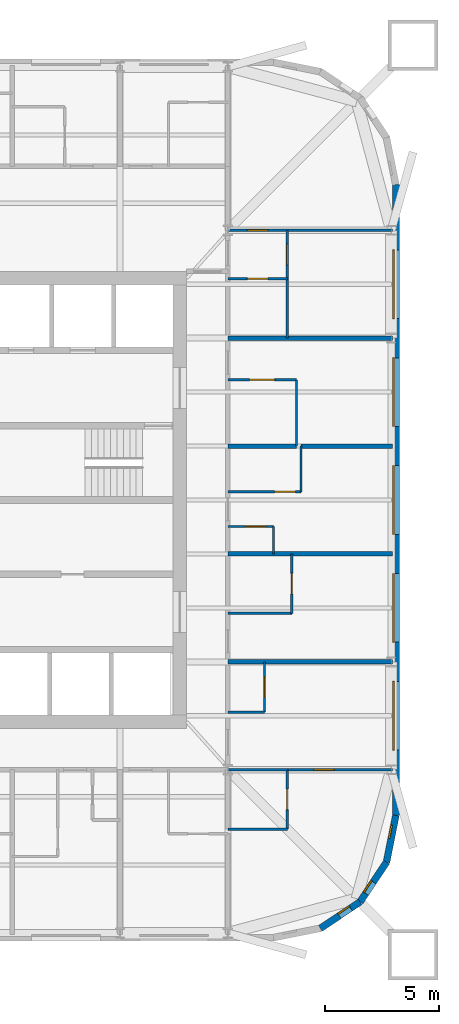
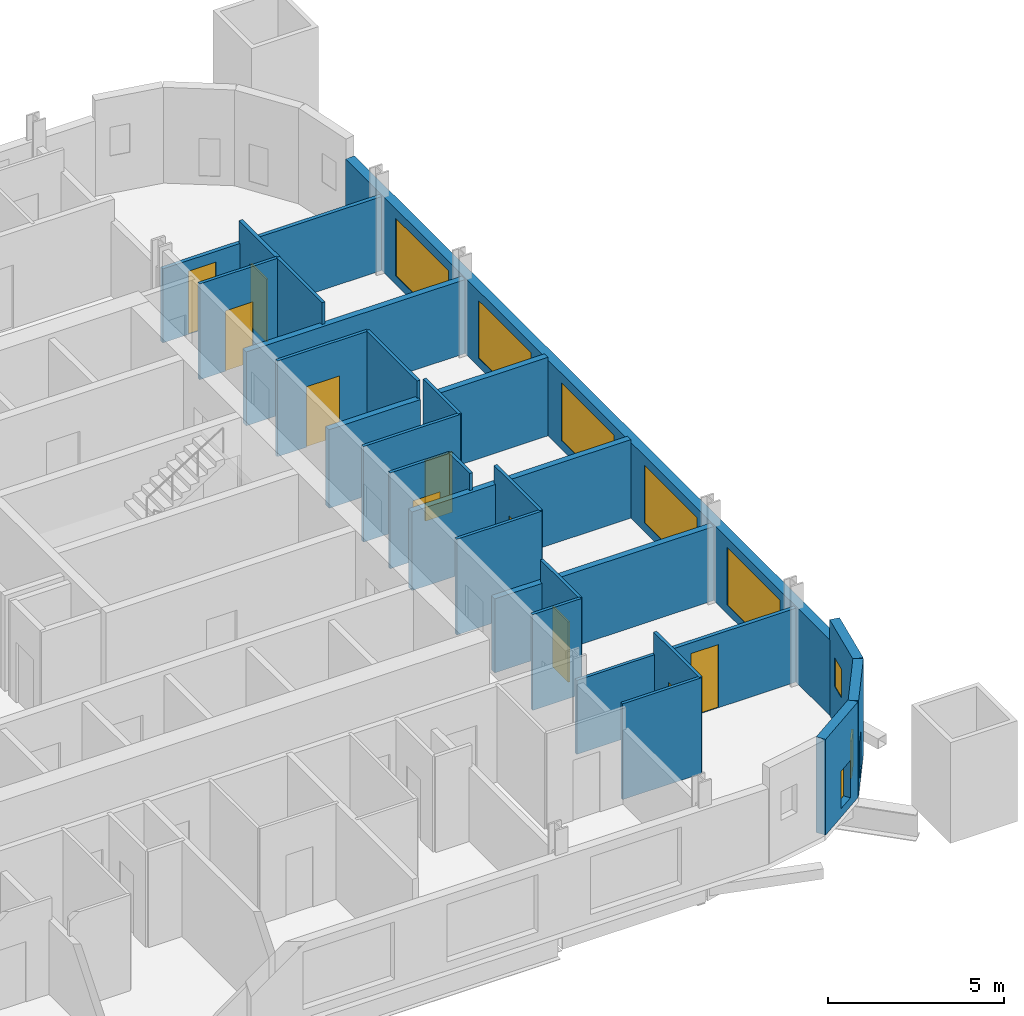
# One storey, part 6 of 9: 27 walls, 10 doors, 8 windows, 18 openings.
"""IFC4 building model written with IfcOpenShell, lengths in metres."""

import ifcopenshell
import ifcopenshell.guid

model = None  # the IFC model being written
_history = None  # IfcOwnerHistory: only IFC2X3 demands one
_inside = {}  # id of a spatial element -> (the spatial element, [elements in it])
_under = {}  # id of a project, library or spatial element -> (it, [spatial elements below it])
_declared = {}  # id of a project -> (the project, [libraries it declares])
_typed = {}  # id of a type object -> (the type object, [elements of that type])
_made_of = {}  # id of a material, layer set ... -> (it, [elements and type objects made of it])


def new_model(schema):
    """Start an empty IFC model of exactly this schema.

    Asked for "IFC4X3", IfcOpenShell would pick the latest addendum, in which some entities
    have other attributes; the version numbers below select the first issue.
    IFC2X3 requires an IfcOwnerHistory on every rooted entity: one is made here for all.
    """
    global model, _history
    if schema == "IFC4X3":
        model = ifcopenshell.file(schema_version=(4, 3, 0, 0))
    else:
        model = ifcopenshell.file(schema=schema)
    _inside.clear()
    _under.clear()
    _declared.clear()
    _typed.clear()
    _made_of.clear()
    _history = None
    if model.schema == "IFC2X3":
        org = make("IfcOrganization", Name="unknown")
        user = make(
            "IfcPersonAndOrganization",
            ThePerson=make("IfcPerson", FamilyName="unknown"),
            TheOrganization=org,
        )
        app = make(
            "IfcApplication",
            ApplicationDeveloper=org,
            Version="unknown",
            ApplicationFullName="unknown",
            ApplicationIdentifier="unknown",
        )
        _history = make(
            "IfcOwnerHistory",
            OwningUser=user,
            OwningApplication=app,
            ChangeAction="ADDED",
            CreationDate=0,
        )
    return model


def make(cls, **values):
    """One entity of the class cls with the attributes given. An attribute that is None is left unset."""
    return model.create_entity(
        cls, **{name: value for name, value in values.items() if value is not None}
    )


def rooted(cls, **values):
    """An entity with a GlobalId (a new one), such as an element, a storey or a relation."""
    return make(cls, GlobalId=ifcopenshell.guid.new(), OwnerHistory=_history, **values)


def si_unit(unit_type, name, prefix=None):
    """IfcSIUnit, for example si_unit("LENGTHUNIT", "METRE", prefix="MILLI")."""
    return make("IfcSIUnit", UnitType=unit_type, Prefix=prefix, Name=name)


def assignment(units):
    """IfcUnitAssignment: the units of a project."""
    return None if units is None else make("IfcUnitAssignment", Units=units)


def point(xyz):
    """IfcCartesianPoint."""
    return None if xyz is None else make("IfcCartesianPoint", Coordinates=xyz)


def direction(xyz):
    """IfcDirection."""
    return None if xyz is None else make("IfcDirection", DirectionRatios=xyz)


def frame(location, z_axis=None, x_axis=None):
    """IfcAxis2Placement3D, a coordinate frame: its origin and axes. An axis left out is left unset."""
    return make(
        "IfcAxis2Placement3D",
        Location=point(location),
        Axis=direction(z_axis),
        RefDirection=direction(x_axis),
    )


def frame_2d(location, x_axis=None):
    """IfcAxis2Placement2D, a coordinate frame in the plane: its origin and x axis."""
    return make(
        "IfcAxis2Placement2D", Location=point(location), RefDirection=direction(x_axis)
    )


def origin():
    """The frame at (0, 0, 0) with its axes left unset."""
    return frame((0.0, 0.0, 0.0))


def place(relative_to, where):
    """IfcLocalPlacement: puts the frame where relative to a parent placement (None: the world)."""
    return make(
        "IfcLocalPlacement", PlacementRelTo=relative_to, RelativePlacement=where
    )


def context(
    kind, dimensions, precision=None, world=None, true_north=None, identifier=None
):
    """IfcGeometricRepresentationContext, for example the 3D "Model" context."""
    return make(
        "IfcGeometricRepresentationContext",
        ContextIdentifier=identifier,
        ContextType=kind,
        CoordinateSpaceDimension=dimensions,
        Precision=precision,
        WorldCoordinateSystem=world,
        TrueNorth=true_north,
    )


def subcontext(parent, identifier, kind, view, scale=None):
    """IfcGeometricRepresentationSubContext, for example "Body" below "Model"."""
    return make(
        "IfcGeometricRepresentationSubContext",
        ContextIdentifier=identifier,
        ContextType=kind,
        ParentContext=parent,
        TargetScale=scale,
        TargetView=view,
    )


def project(units=None, contexts=None):
    """IfcProject with its units and contexts."""
    return rooted(
        "IfcProject",
        Name="project",
        RepresentationContexts=contexts,
        UnitsInContext=assignment(units),
    )


def spatial(cls, under=None, at=None, **own):
    """A site, building, storey or space (cls), placed at a placement, below another one or the project."""
    s = rooted(cls, ObjectPlacement=at, **own)
    if under is not None:
        _under.setdefault(under.id(), (under, []))[1].append(s)
    return s


def profile(cls, at=None, kind="AREA", **sizes):
    """A parametric profile (cls). Its sizes go by their IFC names, for example OverallWidth=200.0."""
    return make(cls, ProfileType=kind, Position=at, **sizes)


def rectangle(**sizes):
    """IfcRectangleProfileDef."""
    return profile("IfcRectangleProfileDef", **sizes)


def extrude(swept, where, along, depth):
    """IfcExtrudedAreaSolid: the profile swept, set in the frame where, extruded along a direction by depth."""
    return make(
        "IfcExtrudedAreaSolid",
        SweptArea=swept,
        Position=where,
        ExtrudedDirection=direction(along),
        Depth=depth,
    )


def shape(context_of_items, identifier, shape_type, items):
    """IfcShapeRepresentation: the items that make up one representation, for example the "Body"."""
    return make(
        "IfcShapeRepresentation",
        ContextOfItems=context_of_items,
        RepresentationIdentifier=identifier,
        RepresentationType=shape_type,
        Items=items,
    )


def material(Name=None, Category=None):
    """IfcMaterial."""
    return make("IfcMaterial", Name=Name, Category=Category)


def layer(
    of_material, thickness, ventilated=None, Name=None, Category=None, Priority=None
):
    """IfcMaterialLayer: one layer of a wall or slab, of a material (None: an air gap)."""
    return make(
        "IfcMaterialLayer",
        Material=of_material,
        LayerThickness=thickness,
        IsVentilated=ventilated,
        Name=Name,
        Category=Category,
        Priority=Priority,
    )


def layer_set(layers, Name=None):
    """IfcMaterialLayerSet."""
    return make("IfcMaterialLayerSet", MaterialLayers=layers, LayerSetName=Name)


def made_of(thing, what):
    """Note that an element or type object is made of a material, layer set ...; save() writes the relation."""
    if what is not None:
        _made_of.setdefault(what.id(), (what, []))[1].append(thing)
    return thing


def type_object(cls, material=None, **own):
    """A type object (cls), such as IfcWallType, which elements share."""
    return made_of(rooted(cls, **own), material)


def element(
    cls,
    number,
    at=None,
    inside=None,
    cuts=None,
    type_object=None,
    material=None,
    context=None,
    identifier="Body",
    shape_type=None,
    held_by="IfcProductDefinitionShape",
    body=None,
    shapes=None,
    **own,
):
    """One element of the class cls, such as IfcWall. Its Tag is "e" and its number.

    at: its placement. inside: the storey or other place that contains it. cuts: it is an
    opening in that element (IfcRelVoidsElement). A single representation is given by context,
    identifier, shape_type and body (its items); several are given by shapes. held_by: the class
    of the entity that holds the representations. save() writes the other relations.
    """
    e = rooted(cls, Tag="e%d" % number, ObjectPlacement=at, **own)
    if body is not None:
        shapes = [shape(context, identifier, shape_type, body)]
    if shapes is not None:
        e.Representation = make(held_by, Representations=shapes)
    if inside is not None:
        _inside.setdefault(inside.id(), (inside, []))[1].append(e)
    if cuts is not None:
        rooted(
            "IfcRelVoidsElement", RelatingBuildingElement=cuts, RelatedOpeningElement=e
        )
    if type_object is not None:
        _typed.setdefault(type_object.id(), (type_object, []))[1].append(e)
    return made_of(e, material)


def fill(opening, filler):
    """IfcRelFillsElement: the door or window that sits in an opening."""
    return rooted(
        "IfcRelFillsElement",
        RelatingOpeningElement=opening,
        RelatedBuildingElement=filler,
    )


def aggregate(whole, parts):
    """IfcRelAggregates: a whole, such as a stair, and the parts it consists of."""
    return rooted("IfcRelAggregates", RelatingObject=whole, RelatedObjects=parts)


def save(model, path):
    """Write the relations noted so far, then the file.

    IfcRelAggregates (storeys below a building ...), IfcRelContainedInSpatialStructure (elements
    in a storey), IfcRelDefinesByType, IfcRelAssociatesMaterial and IfcRelDeclares: one each for
    every whole, place, type object, material and project.
    """
    for whole, parts in _under.values():
        aggregate(whole, parts)
    for where, things in _inside.values():
        rooted(
            "IfcRelContainedInSpatialStructure",
            RelatedElements=things,
            RelatingStructure=where,
        )
    for kind, things in _typed.values():
        rooted("IfcRelDefinesByType", RelatedObjects=things, RelatingType=kind)
    for what, things in _made_of.values():
        rooted("IfcRelAssociatesMaterial", RelatedObjects=things, RelatingMaterial=what)
    for by, libraries in _declared.values():
        rooted("IfcRelDeclares", RelatingContext=by, RelatedDefinitions=libraries)
    model.write(path)


model = new_model("IFC4")

# Units and contexts
model_context = context("Model", 3, precision=1e-05, world=origin(), true_north=direction((0.0, 1.0)))
body_context = subcontext(model_context, "Body", "Model", "MODEL_VIEW")
ifc_project = project(units=[si_unit("LENGTHUNIT", "METRE"), si_unit("AREAUNIT", "SQUARE_METRE"), si_unit("VOLUMEUNIT", "CUBIC_METRE"), si_unit("PLANEANGLEUNIT", "RADIAN"), si_unit("MASSUNIT", "GRAM", prefix="KILO")], contexts=[model_context])

# Site, building, storey
site_placement = place(None, origin())
site = spatial("IfcSite", under=ifc_project, at=site_placement, CompositionType="ELEMENT")
building_placement = place(site_placement, origin())
building = spatial("IfcBuilding", under=site, at=building_placement, Name="Turquesa Mirador Hotel Tower", CompositionType="ELEMENT")
storey_placement = place(building_placement, frame((0.0, 0.0, 214.300048828125)))
storey = spatial("IfcBuildingStorey", under=building, at=storey_placement, Name="L58", CompositionType="ELEMENT", Elevation=214.300048828125)

# Wall, opening, door
ifc_material_1 = material(Name="Gypsum board on steel studs", Category="steel")
ifc_layer_1 = layer(ifc_material_1, 0.10009765625)
ifc_layer_set_1 = layer_set([ifc_layer_1], Name="BATHROOM WALL 100")
wall_type_1 = type_object("IfcWallType", Name="BATHROOM WALL 100", PredefinedType="PARTITIONING", material=ifc_layer_set_1)
wall_1_placement = place(storey_placement, frame((66.800048828125, 43.840087890625, 0.0), z_axis=(0.0, 0.0, 1.0), x_axis=(1.0, 0.0, 0.0)))
wall_1 = element("IfcWall", 1, at=wall_1_placement, inside=storey, type_object=wall_type_1, Name="Partition L58 002", PredefinedType="PARTITIONING", context=body_context, shape_type="SweptSolid", body=[
    extrude(rectangle(XDim=2.0, YDim=0.10009765625, at=frame_2d((1.0, 0.0))), origin(), (0.0, 0.0, 1.0), 3.329833984375),
])
opening_1_placement = place(wall_1_placement, frame((0.75, 0.0, 0.0)))
opening_1 = element("IfcOpeningElement", 2, at=opening_1_placement, cuts=wall_1, Name="Opening D06", PredefinedType="OPENING", context=body_context, shape_type="SweptSolid", body=[
    extrude(rectangle(XDim=0.89990234375, YDim=2.10009765625, at=frame_2d((0.449951171875, 1.050048828125))), frame((0.0, 0.06005859375, 0.0), z_axis=(0.0, -1.0, 0.0), x_axis=(1.0, 0.0, 0.0)), (0.0, 0.0, 1.0), 0.1201171875),
])
ifc_material_2 = material(Name="Laminate door", Category="wood")
door_type_1 = type_object("IfcDoorType", Name="DOOR 900X2100 WC", OperationType="SINGLE_SWING_LEFT", PredefinedType="DOOR", material=ifc_material_2)
door_1_placement = place(opening_1_placement, origin())
door_1 = element("IfcDoor", 3, at=door_1_placement, inside=storey, type_object=door_type_1, Name="Door 5812W", OperationType="SINGLE_SWING_LEFT", OverallHeight=2.10009765625, OverallWidth=0.89990234375, PredefinedType="DOOR", context=body_context, shape_type="SweptSolid", body=[
    extrude(rectangle(XDim=0.89990234375, YDim=2.10009765625, at=frame_2d((0.449951171875, 1.050048828125))), frame((0.0, 0.02490234375, 0.0), z_axis=(0.0, -1.0, 0.0), x_axis=(1.0, 0.0, 0.0)), (0.0, 0.0, 1.0), 0.050048828125),
])
fill(opening_1, door_1)

# Walls
wall_2_placement = place(storey_placement, frame((66.800048828125, 33.199951171875, 0.0), z_axis=(0.0, 0.0, 1.0), x_axis=(1.0, 0.0, 0.0)))
element("IfcWall", 4, at=wall_2_placement, inside=storey, type_object=wall_type_1, Name="Partition L58 004", PredefinedType="PARTITIONING", context=body_context, shape_type="SweptSolid", body=[
    extrude(rectangle(XDim=2.599853515625, YDim=0.10009765625, at=frame_2d((1.2998046875, 0.0))), origin(), (0.0, 0.0, 1.0), 2.572998046875),
])
wall_3_placement = place(storey_placement, frame((66.800048828125, 30.60009765625, 0.0), z_axis=(0.0, 0.0, 1.0), x_axis=(1.0, 0.0, 0.0)))
element("IfcWall", 5, at=wall_3_placement, inside=storey, type_object=wall_type_1, Name="Partition L58 011", PredefinedType="PARTITIONING", context=body_context, shape_type="SweptSolid", body=[
    extrude(rectangle(XDim=2.599853515625, YDim=0.10009765625, at=frame_2d((1.2998046875, 0.0))), origin(), (0.0, 0.0, 1.0), 3.329833984375),
])
wall_4_placement = place(storey_placement, frame((66.800048828125, 40.0400390625, 0.0), z_axis=(0.0, 0.0, 1.0), x_axis=(1.0, 0.0, 0.0)))
element("IfcWall", 6, at=wall_4_placement, inside=storey, type_object=wall_type_1, Name="Partition L58 020", PredefinedType="PARTITIONING", context=body_context, shape_type="SweptSolid", body=[
    extrude(rectangle(XDim=2.800048828125, YDim=0.10009765625, at=frame_2d((1.39990234375, 0.0))), origin(), (0.0, 0.0, 1.0), 3.329833984375),
])
wall_5_placement = place(storey_placement, frame((66.800048828125, 35.719970703125, 0.0), z_axis=(0.0, 0.0, 1.0), x_axis=(1.0, 0.0, 0.0)))
element("IfcWall", 7, at=wall_5_placement, inside=storey, type_object=wall_type_1, Name="Partition L58 025", PredefinedType="PARTITIONING", context=body_context, shape_type="SweptSolid", body=[
    extrude(rectangle(XDim=1.599853515625, YDim=0.10009765625, at=frame_2d((0.7998046875, 0.0))), origin(), (0.0, 0.0, 1.0), 3.329833984375),
])

# Wall, opening, door
wall_6_placement = place(storey_placement, frame((66.800048828125, 45.360107421875, 0.0), z_axis=(0.0, 0.0, 1.0), x_axis=(1.0, 0.0, 0.0)))
wall_6 = element("IfcWall", 8, at=wall_6_placement, inside=storey, type_object=wall_type_1, Name="Partition L58 027", PredefinedType="PARTITIONING", context=body_context, shape_type="SweptSolid", body=[
    extrude(rectangle(XDim=3.199951171875, YDim=0.10009765625, at=frame_2d((1.60009765625, 0.0))), origin(), (0.0, 0.0, 1.0), 3.329833984375),
])
opening_2_placement = place(wall_6_placement, frame((2.050048828125, 0.0, 0.0)))
opening_2 = element("IfcOpeningElement", 9, at=opening_2_placement, cuts=wall_6, Name="Opening D02", PredefinedType="OPENING", context=body_context, shape_type="SweptSolid", body=[
    extrude(rectangle(XDim=0.89990234375, YDim=2.10009765625, at=frame_2d((0.449951171875, 1.050048828125))), frame((0.0, 0.06005859375, 0.0), z_axis=(0.0, -1.0, 0.0), x_axis=(1.0, 0.0, 0.0)), (0.0, 0.0, 1.0), 0.1201171875),
])
ifc_material_3 = material(Name="Timber veneered door", Category="wood")
door_type_2 = type_object("IfcDoorType", Name="DOOR 900X2100 EN-SUITE", OperationType="SINGLE_SWING_RIGHT", PredefinedType="DOOR", material=ifc_material_3)
door_2_placement = place(opening_2_placement, origin())
door_2 = element("IfcDoor", 10, at=door_2_placement, inside=storey, type_object=door_type_2, Name="Door 5812B", OperationType="SINGLE_SWING_RIGHT", OverallHeight=2.10009765625, OverallWidth=0.89990234375, PredefinedType="DOOR", context=body_context, shape_type="SweptSolid", body=[
    extrude(rectangle(XDim=0.89990234375, YDim=2.10009765625, at=frame_2d((0.449951171875, 1.050048828125))), frame((0.0, 0.02490234375, 0.0), z_axis=(0.0, -1.0, 0.0), x_axis=(1.0, 0.0, 0.0)), (0.0, 0.0, 1.0), 0.050048828125),
])
fill(opening_2, door_2)

wall_7_placement = place(storey_placement, frame((66.800048828125, 50.260009765625, 0.0), z_axis=(0.0, 0.0, 1.0), x_axis=(1.0, 0.0, 0.0)))
wall_7 = element("IfcWall", 11, at=wall_7_placement, inside=storey, type_object=wall_type_1, Name="Partition L58 045", PredefinedType="PARTITIONING", context=body_context, shape_type="SweptSolid", body=[
    extrude(rectangle(XDim=3.0, YDim=0.10009765625, at=frame_2d((1.5, 0.0))), origin(), (0.0, 0.0, 1.0), 3.329833984375),
])
opening_3_placement = place(wall_7_placement, frame((0.949951171875, 0.0, 0.0)))
opening_3 = element("IfcOpeningElement", 12, at=opening_3_placement, cuts=wall_7, Name="Opening D16", PredefinedType="OPENING", context=body_context, shape_type="SweptSolid", body=[
    extrude(rectangle(XDim=1.10009765625, YDim=2.10009765625, at=frame_2d((0.550048828125, 1.050048828125))), frame((0.0, 0.06005859375, 0.0), z_axis=(0.0, -1.0, 0.0), x_axis=(1.0, 0.0, 0.0)), (0.0, 0.0, 1.0), 0.1201171875),
])
ifc_material_4 = material(Name="Timber veneered sliding door", Category="wood")
door_type_3 = type_object("IfcDoorType", Name="DOOR 1100X2100 ACCESSIBLE EN-SUITE", OperationType="SLIDING_TO_LEFT", PredefinedType="DOOR", material=ifc_material_4)
door_3_placement = place(opening_3_placement, origin())
door_3 = element("IfcDoor", 13, at=door_3_placement, inside=storey, type_object=door_type_3, Name="Door 5813B", OperationType="SLIDING_TO_LEFT", OverallHeight=2.10009765625, OverallWidth=1.10009765625, PredefinedType="DOOR", context=body_context, shape_type="SweptSolid", body=[
    extrude(rectangle(XDim=1.10009765625, YDim=2.10009765625, at=frame_2d((0.550048828125, 1.050048828125))), frame((0.0, 0.02490234375, 0.0), z_axis=(0.0, -1.0, 0.0), x_axis=(1.0, 0.0, 0.0)), (0.0, 0.0, 1.0), 0.050048828125),
])
fill(opening_3, door_3)

wall_8_placement = place(storey_placement, frame((66.800048828125, 54.679931640625, 0.0), z_axis=(0.0, 0.0, 1.0), x_axis=(1.0, 0.0, 0.0)))
wall_8 = element("IfcWall", 14, at=wall_8_placement, inside=storey, type_object=wall_type_1, Name="Partition L58 052", PredefinedType="PARTITIONING", context=body_context, shape_type="SweptSolid", body=[
    extrude(rectangle(XDim=2.599853515625, YDim=0.10009765625, at=frame_2d((1.2998046875, 0.0))), origin(), (0.0, 0.0, 1.0), 3.329833984375),
])
opening_4_placement = place(wall_8_placement, frame((0.85009765625, 0.0, 0.0)))
opening_4 = element("IfcOpeningElement", 15, at=opening_4_placement, cuts=wall_8, Name="Opening D02", PredefinedType="OPENING", context=body_context, shape_type="SweptSolid", body=[
    extrude(rectangle(XDim=0.89990234375, YDim=2.10009765625, at=frame_2d((0.449951171875, 1.050048828125))), frame((0.0, 0.06005859375, 0.0), z_axis=(0.0, -1.0, 0.0), x_axis=(1.0, 0.0, 0.0)), (0.0, 0.0, 1.0), 0.1201171875),
])
door_4_placement = place(opening_4_placement, origin())
door_4 = element("IfcDoor", 16, at=door_4_placement, inside=storey, type_object=door_type_2, Name="Door 5817B", OperationType="SINGLE_SWING_RIGHT", OverallHeight=2.10009765625, OverallWidth=0.89990234375, PredefinedType="DOOR", context=body_context, shape_type="SweptSolid", body=[
    extrude(rectangle(XDim=0.89990234375, YDim=2.10009765625, at=frame_2d((0.449951171875, 1.050048828125))), frame((0.0, 0.02490234375, 0.0), z_axis=(0.0, -1.0, 0.0), x_axis=(1.0, 0.0, 0.0)), (0.0, 0.0, 1.0), 0.050048828125),
])
fill(opening_4, door_4)

wall_9_placement = place(storey_placement, frame((68.39990234375, 35.719970703125, 0.0), z_axis=(0.0, 0.0, 1.0), x_axis=(0.0, 1.0, 0.0)))
wall_9 = element("IfcWall", 17, at=wall_9_placement, inside=storey, type_object=wall_type_1, Name="Partition L58 085", PredefinedType="PARTITIONING", context=body_context, shape_type="SweptSolid", body=[
    extrude(rectangle(XDim=2.199951171875, YDim=0.10009765625, at=frame_2d((1.10009765625, 0.0))), origin(), (0.0, 0.0, 1.0), 3.329833984375),
])
opening_5_placement = place(wall_9_placement, frame((0.64990234375, 0.0, 0.0)))
opening_5 = element("IfcOpeningElement", 18, at=opening_5_placement, cuts=wall_9, Name="Opening D06", PredefinedType="OPENING", context=body_context, shape_type="SweptSolid", body=[
    extrude(rectangle(XDim=0.89990234375, YDim=2.10009765625, at=frame_2d((0.449951171875, 1.050048828125))), frame((0.0, 0.06005859375, 0.0), z_axis=(0.0, -1.0, 0.0), x_axis=(1.0, 0.0, 0.0)), (0.0, 0.0, 1.0), 0.1201171875),
])
door_5_placement = place(opening_5_placement, origin())
door_5 = element("IfcDoor", 19, at=door_5_placement, inside=storey, type_object=door_type_1, Name="Door 5820W", OperationType="SINGLE_SWING_LEFT", OverallHeight=2.10009765625, OverallWidth=0.89990234375, PredefinedType="DOOR", context=body_context, shape_type="SweptSolid", body=[
    extrude(rectangle(XDim=0.89990234375, YDim=2.10009765625, at=frame_2d((0.449951171875, 1.050048828125))), frame((0.0, 0.02490234375, 0.0), z_axis=(0.0, -1.0, 0.0), x_axis=(1.0, 0.0, 0.0)), (0.0, 0.0, 1.0), 0.050048828125),
])
fill(opening_5, door_5)

# Wall
wall_10_placement = place(storey_placement, frame((68.800048828125, 42.639892578125, 0.0), z_axis=(0.0, 0.0, 1.0), x_axis=(0.0, 1.0, 0.0)))
element("IfcWall", 20, at=wall_10_placement, inside=storey, type_object=wall_type_1, Name="Partition L58 086", PredefinedType="PARTITIONING", context=body_context, shape_type="SweptSolid", body=[
    extrude(rectangle(XDim=1.2001953125, YDim=0.10009765625, at=frame_2d((0.60009765625, 0.0))), origin(), (0.0, 0.0, 1.0), 3.329833984375),
])

# Wall, opening, door
wall_11_placement = place(storey_placement, frame((69.39990234375, 30.60009765625, 0.0), z_axis=(0.0, 0.0, 1.0), x_axis=(0.0, 1.0, 0.0)))
wall_11 = element("IfcWall", 21, at=wall_11_placement, inside=storey, type_object=wall_type_1, Name="Partition L58 087", PredefinedType="PARTITIONING", context=body_context, shape_type="SweptSolid", body=[
    extrude(rectangle(XDim=2.599853515625, YDim=0.10009765625, at=frame_2d((1.2998046875, 0.0))), origin(), (0.0, 0.0, 1.0), 3.329833984375),
])
opening_6_placement = place(wall_11_placement, frame((0.85009765625, 0.0, 0.0)))
opening_6 = element("IfcOpeningElement", 22, at=opening_6_placement, cuts=wall_11, Name="Opening D02", PredefinedType="OPENING", context=body_context, shape_type="SweptSolid", body=[
    extrude(rectangle(XDim=0.89990234375, YDim=2.10009765625, at=frame_2d((0.449951171875, 1.050048828125))), frame((0.0, 0.06005859375, 0.0), z_axis=(0.0, -1.0, 0.0), x_axis=(1.0, 0.0, 0.0)), (0.0, 0.0, 1.0), 0.1201171875),
])
door_6_placement = place(opening_6_placement, origin())
door_6 = element("IfcDoor", 23, at=door_6_placement, inside=storey, type_object=door_type_2, Name="Door 5820B", OperationType="SINGLE_SWING_RIGHT", OverallHeight=2.10009765625, OverallWidth=0.89990234375, PredefinedType="DOOR", context=body_context, shape_type="SweptSolid", body=[
    extrude(rectangle(XDim=0.89990234375, YDim=2.10009765625, at=frame_2d((0.449951171875, 1.050048828125))), frame((0.0, 0.02490234375, 0.0), z_axis=(0.0, -1.0, 0.0), x_axis=(1.0, 0.0, 0.0)), (0.0, 0.0, 1.0), 0.050048828125),
])
fill(opening_6, door_6)

# Wall
wall_12_placement = place(storey_placement, frame((69.39990234375, 52.080078125, 0.0), z_axis=(0.0, 0.0, 1.0), x_axis=(0.0, 1.0, 0.0)))
element("IfcWall", 24, at=wall_12_placement, inside=storey, type_object=wall_type_1, Name="Partition L58 088", PredefinedType="PARTITIONING", context=body_context, shape_type="SweptSolid", body=[
    extrude(rectangle(XDim=2.599853515625, YDim=0.10009765625, at=frame_2d((1.2998046875, 0.0))), origin(), (0.0, 0.0, 1.0), 3.329833984375),
])

# Wall, opening, door
wall_13_placement = place(storey_placement, frame((69.60009765625, 40.0400390625, 0.0), z_axis=(0.0, 0.0, 1.0), x_axis=(0.0, 1.0, 0.0)))
wall_13 = element("IfcWall", 25, at=wall_13_placement, inside=storey, type_object=wall_type_1, Name="Partition L58 090", PredefinedType="PARTITIONING", context=body_context, shape_type="SweptSolid", body=[
    extrude(rectangle(XDim=2.599853515625, YDim=0.10009765625, at=frame_2d((1.2998046875, 0.0))), origin(), (0.0, 0.0, 1.0), 3.329833984375),
])
opening_7_placement = place(wall_13_placement, frame((0.85009765625, 0.0, 0.0)))
opening_7 = element("IfcOpeningElement", 26, at=opening_7_placement, cuts=wall_13, Name="Opening D02", PredefinedType="OPENING", context=body_context, shape_type="SweptSolid", body=[
    extrude(rectangle(XDim=0.89990234375, YDim=2.10009765625, at=frame_2d((0.449951171875, 1.050048828125))), frame((0.0, 0.06005859375, 0.0), z_axis=(0.0, -1.0, 0.0), x_axis=(1.0, 0.0, 0.0)), (0.0, 0.0, 1.0), 0.1201171875),
])
door_7_placement = place(opening_7_placement, origin())
door_7 = element("IfcDoor", 27, at=door_7_placement, inside=storey, type_object=door_type_2, Name="Door 5811B", OperationType="SINGLE_SWING_RIGHT", OverallHeight=2.10009765625, OverallWidth=0.89990234375, PredefinedType="DOOR", context=body_context, shape_type="SweptSolid", body=[
    extrude(rectangle(XDim=0.89990234375, YDim=2.10009765625, at=frame_2d((0.449951171875, 1.050048828125))), frame((0.0, 0.02490234375, 0.0), z_axis=(0.0, -1.0, 0.0), x_axis=(1.0, 0.0, 0.0)), (0.0, 0.0, 1.0), 0.050048828125),
])
fill(opening_7, door_7)

# Walls
wall_14_placement = place(storey_placement, frame((69.800048828125, 47.360107421875, 0.0), z_axis=(0.0, 0.0, 1.0), x_axis=(0.0, 1.0, 0.0)))
element("IfcWall", 28, at=wall_14_placement, inside=storey, type_object=wall_type_1, Name="Partition L58 091", PredefinedType="PARTITIONING", context=body_context, shape_type="SweptSolid", body=[
    extrude(rectangle(XDim=2.89990234375, YDim=0.10009765625, at=frame_2d((1.449951171875, 0.0))), origin(), (0.0, 0.0, 1.0), 3.329833984375),
])
wall_15_placement = place(storey_placement, frame((70.0, 45.360107421875, 0.0), z_axis=(0.0, 0.0, 1.0), x_axis=(0.0, 1.0, 0.0)))
element("IfcWall", 29, at=wall_15_placement, inside=storey, type_object=wall_type_1, Name="Partition L58 092", PredefinedType="PARTITIONING", context=body_context, shape_type="SweptSolid", body=[
    extrude(rectangle(XDim=2.0, YDim=0.10009765625, at=frame_2d((1.0, 0.0))), origin(), (0.0, 0.0, 1.0), 3.329833984375),
])

# Wall, opening, window
ifc_material_5 = material(Name="Limestone cladding on concrete block", Category="masonry")
ifc_layer_2 = layer(ifc_material_5, 0.300048828125)
ifc_layer_set_2 = layer_set([ifc_layer_2], Name="FACADE WALL 300 STONE SCREEN")
wall_type_2 = type_object("IfcWallType", Name="FACADE WALL 300 STONE SCREEN", PredefinedType="SOLIDWALL", material=ifc_layer_set_2)
wall_16_placement = place(storey_placement, frame((70.847412109375, 26.25732421875, 0.0), z_axis=(0.0, 0.0, 1.0), x_axis=(0.831474039234, 0.555563607591, 0.0)))
wall_16 = element("IfcWall", 30, at=wall_16_placement, inside=storey, type_object=wall_type_2, Name="Facade wall L58 01", PredefinedType="SOLIDWALL", context=body_context, shape_type="SweptSolid", body=[
    extrude(rectangle(XDim=2.08740234375, YDim=0.300048828125, at=frame_2d((1.043701171875, 0.0))), origin(), (0.0, 0.0, 1.0), 3.329833984375),
])
opening_8_placement = place(wall_16_placement, frame((0.99365234375, 0.0, 0.300048828125)))
opening_8 = element("IfcOpeningElement", 31, at=opening_8_placement, cuts=wall_16, Name="Opening WN14", PredefinedType="OPENING", context=body_context, shape_type="SweptSolid", body=[
    extrude(rectangle(XDim=0.60009765625, YDim=1.300048828125, at=frame_2d((0.300048828125, 0.64990234375))), frame((0.0, 0.159912109375, 0.0), z_axis=(0.0, -1.0, 0.0), x_axis=(1.0, 0.0, 0.0)), (0.0, 0.0, 1.0), 0.320068359375),
])
ifc_material_6 = material(Name="Ceramic-fritted laminated glass", Category="glass")
window_type_1 = type_object("IfcWindowType", Name="FRITTED CORNER WINDOW 600X1300", PartitioningType="DOUBLE_PANEL_HORIZONTAL", PredefinedType="WINDOW", material=ifc_material_6)
window_1_placement = place(opening_8_placement, origin())
window_1 = element("IfcWindow", 32, at=window_1_placement, inside=storey, type_object=window_type_1, Name="Window L58", OverallHeight=1.300048828125, OverallWidth=0.60009765625, PartitioningType="SINGLE_PANEL", PredefinedType="WINDOW", context=body_context, shape_type="SweptSolid", body=[
    extrude(rectangle(XDim=0.60009765625, YDim=1.300048828125, at=frame_2d((0.300048828125, 0.64990234375))), frame((0.0, 0.130126953125, 0.0), z_axis=(0.0, -1.0, 0.0), x_axis=(1.0, 0.0, 0.0)), (0.0, 0.0, 1.0), 0.06005859375),
])
fill(opening_8, window_1)

wall_17_placement = place(storey_placement, frame((72.5830078125, 27.4169921875, 0.0), z_axis=(0.0, 0.0, 1.0), x_axis=(0.555563607591, 0.831474039234, 0.0)))
wall_17 = element("IfcWall", 33, at=wall_17_placement, inside=storey, type_object=wall_type_2, Name="Facade wall L58 02", PredefinedType="SOLIDWALL", context=body_context, shape_type="SweptSolid", body=[
    extrude(rectangle(XDim=2.08740234375, YDim=0.300048828125, at=frame_2d((1.043701171875, 0.0))), origin(), (0.0, 0.0, 1.0), 3.329833984375),
])
opening_9_placement = place(wall_17_placement, frame((0.443603515625, 0.0, 0.300048828125)))
opening_9 = element("IfcOpeningElement", 34, at=opening_9_placement, cuts=wall_17, Name="Opening WN14", PredefinedType="OPENING", context=body_context, shape_type="SweptSolid", body=[
    extrude(rectangle(XDim=0.60009765625, YDim=1.300048828125, at=frame_2d((0.300048828125, 0.64990234375))), frame((0.0, 0.159912109375, 0.0), z_axis=(0.0, -1.0, 0.0), x_axis=(1.0, 0.0, 0.0)), (0.0, 0.0, 1.0), 0.320068359375),
])
window_2_placement = place(opening_9_placement, origin())
window_2 = element("IfcWindow", 35, at=window_2_placement, inside=storey, type_object=window_type_1, Name="Window L58", OverallHeight=1.300048828125, OverallWidth=0.60009765625, PartitioningType="SINGLE_PANEL", PredefinedType="WINDOW", context=body_context, shape_type="SweptSolid", body=[
    extrude(rectangle(XDim=0.60009765625, YDim=1.300048828125, at=frame_2d((0.300048828125, 0.64990234375))), frame((0.0, 0.130126953125, 0.0), z_axis=(0.0, -1.0, 0.0), x_axis=(1.0, 0.0, 0.0)), (0.0, 0.0, 1.0), 0.06005859375),
])
fill(opening_9, window_2)

wall_18_placement = place(storey_placement, frame((73.74267578125, 29.152587890625, 0.0), z_axis=(0.0, 0.0, 1.0), x_axis=(0.195081421501, 0.980787050784, 0.0)))
wall_18 = element("IfcWall", 36, at=wall_18_placement, inside=storey, type_object=wall_type_2, Name="Facade wall L58 03", PredefinedType="SOLIDWALL", context=body_context, shape_type="SweptSolid", body=[
    extrude(rectangle(XDim=2.08740234375, YDim=0.300048828125, at=frame_2d((1.043701171875, 0.0))), origin(), (0.0, 0.0, 1.0), 3.329833984375),
])
opening_10_placement = place(wall_18_placement, frame((1.043701171875, 0.0, 1.300048828125)))
opening_10 = element("IfcOpeningElement", 37, at=opening_10_placement, cuts=wall_18, Name="Opening WN11", PredefinedType="OPENING", context=body_context, shape_type="SweptSolid", body=[
    extrude(rectangle(XDim=0.60009765625, YDim=1.0, at=frame_2d((0.300048828125, 0.5))), frame((0.0, 0.159912109375, 0.0), z_axis=(0.0, -1.0, 0.0), x_axis=(1.0, 0.0, 0.0)), (0.0, 0.0, 1.0), 0.320068359375),
])
ifc_material_7 = material(Name="Ceramic-fritted laminated glass", Category="glass")
window_type_2 = type_object("IfcWindowType", Name="FRITTED CORNER WINDOW 600X1000", PartitioningType="DOUBLE_PANEL_HORIZONTAL", PredefinedType="WINDOW", material=ifc_material_7)
window_3_placement = place(opening_10_placement, origin())
window_3 = element("IfcWindow", 38, at=window_3_placement, inside=storey, type_object=window_type_2, Name="Window L58", OverallHeight=1.0, OverallWidth=0.60009765625, PartitioningType="SINGLE_PANEL", PredefinedType="WINDOW", context=body_context, shape_type="SweptSolid", body=[
    extrude(rectangle(XDim=0.60009765625, YDim=1.0, at=frame_2d((0.300048828125, 0.5))), frame((0.0, 0.130126953125, 0.0), z_axis=(0.0, -1.0, 0.0), x_axis=(1.0, 0.0, 0.0)), (0.0, 0.0, 1.0), 0.06005859375),
])
fill(opening_10, window_3)

# Wall, openings, windows
wall_19_placement = place(storey_placement, frame((74.14990234375, 31.199951171875, 0.0), z_axis=(0.0, 0.0, 1.0), x_axis=(0.0, 1.0, 0.0)))
wall_19 = element("IfcWall", 39, at=wall_19_placement, inside=storey, type_object=wall_type_2, Name="Facade wall L58 04", PredefinedType="SOLIDWALL", context=body_context, shape_type="SweptSolid", body=[
    extrude(rectangle(XDim=27.60009765625, YDim=0.300048828125, at=frame_2d((13.800048828125, 0.0))), origin(), (0.0, 0.0, 1.0), 2.6298828125),
])
opening_11_placement = place(wall_19_placement, frame((2.860107421875, 0.0, 0.300048828125)))
opening_11 = element("IfcOpeningElement", 40, at=opening_11_placement, cuts=wall_19, Name="Opening WN1", PredefinedType="OPENING", context=body_context, shape_type="SweptSolid", body=[
    extrude(rectangle(XDim=3.0, YDim=2.0, at=frame_2d((1.5, 1.0))), frame((0.0, 0.159912109375, 0.0), z_axis=(0.0, -1.0, 0.0), x_axis=(1.0, 0.0, 0.0)), (0.0, 0.0, 1.0), 0.320068359375),
])
opening_12_placement = place(wall_19_placement, frame((7.580078125, 0.0, 0.300048828125)))
opening_12 = element("IfcOpeningElement", 41, at=opening_12_placement, cuts=wall_19, Name="Opening WN1", PredefinedType="OPENING", context=body_context, shape_type="SweptSolid", body=[
    extrude(rectangle(XDim=3.0, YDim=2.0, at=frame_2d((1.5, 1.0))), frame((0.0, 0.159912109375, 0.0), z_axis=(0.0, -1.0, 0.0), x_axis=(1.0, 0.0, 0.0)), (0.0, 0.0, 1.0), 0.320068359375),
])
opening_13_placement = place(wall_19_placement, frame((12.300048828125, 0.0, 0.300048828125)))
opening_13 = element("IfcOpeningElement", 42, at=opening_13_placement, cuts=wall_19, Name="Opening WN1", PredefinedType="OPENING", context=body_context, shape_type="SweptSolid", body=[
    extrude(rectangle(XDim=3.0, YDim=2.0, at=frame_2d((1.5, 1.0))), frame((0.0, 0.159912109375, 0.0), z_axis=(0.0, -1.0, 0.0), x_axis=(1.0, 0.0, 0.0)), (0.0, 0.0, 1.0), 0.320068359375),
])
opening_14_placement = place(wall_19_placement, frame((17.02001953125, 0.0, 0.300048828125)))
opening_14 = element("IfcOpeningElement", 43, at=opening_14_placement, cuts=wall_19, Name="Opening WN1", PredefinedType="OPENING", context=body_context, shape_type="SweptSolid", body=[
    extrude(rectangle(XDim=3.0, YDim=2.0, at=frame_2d((1.5, 1.0))), frame((0.0, 0.159912109375, 0.0), z_axis=(0.0, -1.0, 0.0), x_axis=(1.0, 0.0, 0.0)), (0.0, 0.0, 1.0), 0.320068359375),
])
opening_15_placement = place(wall_19_placement, frame((21.739990234375, 0.0, 0.300048828125)))
opening_15 = element("IfcOpeningElement", 44, at=opening_15_placement, cuts=wall_19, Name="Opening WN1", PredefinedType="OPENING", context=body_context, shape_type="SweptSolid", body=[
    extrude(rectangle(XDim=3.0, YDim=2.0, at=frame_2d((1.5, 1.0))), frame((0.0, 0.159912109375, 0.0), z_axis=(0.0, -1.0, 0.0), x_axis=(1.0, 0.0, 0.0)), (0.0, 0.0, 1.0), 0.320068359375),
])
ifc_material_8 = material(Name="Ceramic-fritted laminated glass", Category="glass")
window_type_3 = type_object("IfcWindowType", Name="FRITTED WINDOW 3000X2000", PartitioningType="DOUBLE_PANEL_HORIZONTAL", PredefinedType="WINDOW", material=ifc_material_8)
window_4_placement = place(opening_11_placement, origin())
window_4 = element("IfcWindow", 45, at=window_4_placement, inside=storey, type_object=window_type_3, Name="Window L58", OverallHeight=2.0, OverallWidth=3.0, PartitioningType="SINGLE_PANEL", PredefinedType="WINDOW", context=body_context, shape_type="SweptSolid", body=[
    extrude(rectangle(XDim=3.0, YDim=2.0, at=frame_2d((1.5, 1.0))), frame((0.0, 0.130126953125, 0.0), z_axis=(0.0, -1.0, 0.0), x_axis=(1.0, 0.0, 0.0)), (0.0, 0.0, 1.0), 0.06005859375),
])
fill(opening_11, window_4)
window_5_placement = place(opening_12_placement, origin())
window_5 = element("IfcWindow", 46, at=window_5_placement, inside=storey, type_object=window_type_3, Name="Window L58", OverallHeight=2.0, OverallWidth=3.0, PartitioningType="SINGLE_PANEL", PredefinedType="WINDOW", context=body_context, shape_type="SweptSolid", body=[
    extrude(rectangle(XDim=3.0, YDim=2.0, at=frame_2d((1.5, 1.0))), frame((0.0, 0.130126953125, 0.0), z_axis=(0.0, -1.0, 0.0), x_axis=(1.0, 0.0, 0.0)), (0.0, 0.0, 1.0), 0.06005859375),
])
fill(opening_12, window_5)
window_6_placement = place(opening_13_placement, origin())
window_6 = element("IfcWindow", 47, at=window_6_placement, inside=storey, type_object=window_type_3, Name="Window L58", OverallHeight=2.0, OverallWidth=3.0, PartitioningType="SINGLE_PANEL", PredefinedType="WINDOW", context=body_context, shape_type="SweptSolid", body=[
    extrude(rectangle(XDim=3.0, YDim=2.0, at=frame_2d((1.5, 1.0))), frame((0.0, 0.130126953125, 0.0), z_axis=(0.0, -1.0, 0.0), x_axis=(1.0, 0.0, 0.0)), (0.0, 0.0, 1.0), 0.06005859375),
])
fill(opening_13, window_6)
window_7_placement = place(opening_14_placement, origin())
window_7 = element("IfcWindow", 48, at=window_7_placement, inside=storey, type_object=window_type_3, Name="Window L58", OverallHeight=2.0, OverallWidth=3.0, PartitioningType="SINGLE_PANEL", PredefinedType="WINDOW", context=body_context, shape_type="SweptSolid", body=[
    extrude(rectangle(XDim=3.0, YDim=2.0, at=frame_2d((1.5, 1.0))), frame((0.0, 0.130126953125, 0.0), z_axis=(0.0, -1.0, 0.0), x_axis=(1.0, 0.0, 0.0)), (0.0, 0.0, 1.0), 0.06005859375),
])
fill(opening_14, window_7)
window_8_placement = place(opening_15_placement, origin())
window_8 = element("IfcWindow", 49, at=window_8_placement, inside=storey, type_object=window_type_3, Name="Window L58", OverallHeight=2.0, OverallWidth=3.0, PartitioningType="SINGLE_PANEL", PredefinedType="WINDOW", context=body_context, shape_type="SweptSolid", body=[
    extrude(rectangle(XDim=3.0, YDim=2.0, at=frame_2d((1.5, 1.0))), frame((0.0, 0.130126953125, 0.0), z_axis=(0.0, -1.0, 0.0), x_axis=(1.0, 0.0, 0.0)), (0.0, 0.0, 1.0), 0.06005859375),
])
fill(opening_15, window_8)

# Walls
ifc_material_9 = material(Name="Fire-rated gypsum board on steel studs", Category="steel")
ifc_layer_3 = layer(ifc_material_9, 0.199951171875)
ifc_layer_set_3 = layer_set([ifc_layer_3], Name="PARTY WALL 200")
wall_type_3 = type_object("IfcWallType", Name="PARTY WALL 200", PredefinedType="PARTITIONING", material=ifc_layer_set_3)
wall_20_placement = place(storey_placement, frame((66.800048828125, 42.639892578125, 0.0), z_axis=(0.0, 0.0, 1.0), x_axis=(1.0, 0.0, 0.0)))
element("IfcWall", 50, at=wall_20_placement, inside=storey, type_object=wall_type_3, Name="Partition L58 018", PredefinedType="PARTITIONING", context=body_context, shape_type="SweptSolid", body=[
    extrude(rectangle(XDim=7.199951171875, YDim=0.199951171875, at=frame_2d((3.60009765625, 0.0))), origin(), (0.0, 0.0, 1.0), 2.73046875),
])
wall_21_placement = place(storey_placement, frame((66.800048828125, 37.919921875, 0.0), z_axis=(0.0, 0.0, 1.0), x_axis=(1.0, 0.0, 0.0)))
element("IfcWall", 51, at=wall_21_placement, inside=storey, type_object=wall_type_3, Name="Partition L58 023", PredefinedType="PARTITIONING", context=body_context, shape_type="SweptSolid", body=[
    extrude(rectangle(XDim=7.199951171875, YDim=0.199951171875, at=frame_2d((3.60009765625, 0.0))), origin(), (0.0, 0.0, 1.0), 2.572998046875),
])
wall_22_placement = place(storey_placement, frame((66.800048828125, 47.360107421875, 0.0), z_axis=(0.0, 0.0, 1.0), x_axis=(1.0, 0.0, 0.0)))
element("IfcWall", 52, at=wall_22_placement, inside=storey, type_object=wall_type_3, Name="Partition L58 042", PredefinedType="PARTITIONING", context=body_context, shape_type="SweptSolid", body=[
    extrude(rectangle(XDim=3.0, YDim=0.199951171875, at=frame_2d((1.5, 0.0))), origin(), (0.0, 0.0, 1.0), 2.73046875),
])
wall_23_placement = place(storey_placement, frame((70.0, 47.360107421875, 0.0), z_axis=(0.0, 0.0, 1.0), x_axis=(1.0, 0.0, 0.0)))
element("IfcWall", 53, at=wall_23_placement, inside=storey, type_object=wall_type_3, Name="Partition L58 043", PredefinedType="PARTITIONING", context=body_context, shape_type="SweptSolid", body=[
    extrude(rectangle(XDim=4.0, YDim=0.199951171875, at=frame_2d((2.0, 0.0))), origin(), (0.0, 0.0, 1.0), 2.73046875),
])
wall_24_placement = place(storey_placement, frame((66.800048828125, 52.080078125, 0.0), z_axis=(0.0, 0.0, 1.0), x_axis=(1.0, 0.0, 0.0)))
element("IfcWall", 54, at=wall_24_placement, inside=storey, type_object=wall_type_3, Name="Partition L58 050", PredefinedType="PARTITIONING", context=body_context, shape_type="SweptSolid", body=[
    extrude(rectangle(XDim=7.199951171875, YDim=0.199951171875, at=frame_2d((3.60009765625, 0.0))), origin(), (0.0, 0.0, 1.0), 2.572998046875),
])

# Wall, opening, door
ifc_material_10 = material(Name="Acoustic gypsum board on steel studs", Category="steel")
ifc_layer_4 = layer(ifc_material_10, 0.125)
ifc_layer_set_4 = layer_set([ifc_layer_4], Name="SUITE PARTITION 125")
wall_type_4 = type_object("IfcWallType", Name="SUITE PARTITION 125", PredefinedType="PARTITIONING", material=ifc_layer_set_4)
wall_25_placement = place(storey_placement, frame((69.39990234375, 33.199951171875, 0.0), z_axis=(0.0, 0.0, 1.0), x_axis=(1.0, 0.0, 0.0)))
wall_25 = element("IfcWall", 55, at=wall_25_placement, inside=storey, type_object=wall_type_4, Name="Partition L58 007", PredefinedType="PARTITIONING", context=body_context, shape_type="SweptSolid", body=[
    extrude(rectangle(XDim=4.60009765625, YDim=0.125, at=frame_2d((2.300048828125, 0.0))), origin(), (0.0, 0.0, 1.0), 2.572998046875),
])
opening_16_placement = place(wall_25_placement, frame((1.14990234375, 0.0, 0.0)))
opening_16 = element("IfcOpeningElement", 56, at=opening_16_placement, cuts=wall_25, Name="Opening D17", PredefinedType="OPENING", context=body_context, shape_type="SweptSolid", body=[
    extrude(rectangle(XDim=0.89990234375, YDim=2.199951171875, at=frame_2d((0.449951171875, 1.10009765625))), frame((0.0, 0.072509765625, 0.0), z_axis=(0.0, -1.0, 0.0), x_axis=(1.0, 0.0, 0.0)), (0.0, 0.0, 1.0), 0.14501953125),
])
ifc_material_11 = material(Name="Timber veneered door", Category="wood")
door_type_4 = type_object("IfcDoorType", Name="DOOR 900X2200 SUITE INTERNAL", OperationType="SINGLE_SWING_LEFT", PredefinedType="DOOR", material=ifc_material_11)
door_8_placement = place(opening_16_placement, origin())
door_8 = element("IfcDoor", 57, at=door_8_placement, inside=storey, type_object=door_type_4, Name="Door 5820R", OperationType="SINGLE_SWING_LEFT", OverallHeight=2.199951171875, OverallWidth=0.89990234375, PredefinedType="DOOR", context=body_context, shape_type="SweptSolid", body=[
    extrude(rectangle(XDim=0.89990234375, YDim=2.199951171875, at=frame_2d((0.449951171875, 1.10009765625))), frame((0.0, 0.02490234375, 0.0), z_axis=(0.0, -1.0, 0.0), x_axis=(1.0, 0.0, 0.0)), (0.0, 0.0, 1.0), 0.050048828125),
])
fill(opening_16, door_8)

wall_26_placement = place(storey_placement, frame((66.800048828125, 56.800048828125, 0.0), z_axis=(0.0, 0.0, 1.0), x_axis=(1.0, 0.0, 0.0)))
wall_26 = element("IfcWall", 58, at=wall_26_placement, inside=storey, type_object=wall_type_4, Name="Partition L58 031", PredefinedType="PARTITIONING", context=body_context, shape_type="SweptSolid", body=[
    extrude(rectangle(XDim=7.199951171875, YDim=0.125, at=frame_2d((3.60009765625, 0.0))), origin(), (0.0, 0.0, 1.0), 2.572998046875),
])
opening_17_placement = place(wall_26_placement, frame((0.85009765625, 0.0, 0.0)))
opening_17 = element("IfcOpeningElement", 59, at=opening_17_placement, cuts=wall_26, Name="Opening D17", PredefinedType="OPENING", context=body_context, shape_type="SweptSolid", body=[
    extrude(rectangle(XDim=0.89990234375, YDim=2.199951171875, at=frame_2d((0.449951171875, 1.10009765625))), frame((0.0, 0.072509765625, 0.0), z_axis=(0.0, -1.0, 0.0), x_axis=(1.0, 0.0, 0.0)), (0.0, 0.0, 1.0), 0.14501953125),
])
door_9_placement = place(opening_17_placement, origin())
door_9 = element("IfcDoor", 60, at=door_9_placement, inside=storey, type_object=door_type_4, Name="Door 5817", OperationType="SINGLE_SWING_LEFT", OverallHeight=2.199951171875, OverallWidth=0.89990234375, PredefinedType="DOOR", context=body_context, shape_type="SweptSolid", body=[
    extrude(rectangle(XDim=0.89990234375, YDim=2.199951171875, at=frame_2d((0.449951171875, 1.10009765625))), frame((0.0, 0.02490234375, 0.0), z_axis=(0.0, -1.0, 0.0), x_axis=(1.0, 0.0, 0.0)), (0.0, 0.0, 1.0), 0.050048828125),
])
fill(opening_17, door_9)

wall_27_placement = place(storey_placement, frame((69.39990234375, 54.679931640625, 0.0), z_axis=(0.0, 0.0, 1.0), x_axis=(0.0, 1.0, 0.0)))
wall_27 = element("IfcWall", 61, at=wall_27_placement, inside=storey, type_object=wall_type_4, Name="Partition L58 089", PredefinedType="PARTITIONING", context=body_context, shape_type="SweptSolid", body=[
    extrude(rectangle(XDim=2.1201171875, YDim=0.125, at=frame_2d((1.06005859375, 0.0))), origin(), (0.0, 0.0, 1.0), 3.329833984375),
])
opening_18_placement = place(wall_27_placement, frame((0.610107421875, 0.0, 0.0)))
opening_18 = element("IfcOpeningElement", 62, at=opening_18_placement, cuts=wall_27, Name="Opening D17", PredefinedType="OPENING", context=body_context, shape_type="SweptSolid", body=[
    extrude(rectangle(XDim=0.89990234375, YDim=2.199951171875, at=frame_2d((0.449951171875, 1.10009765625))), frame((0.0, 0.072509765625, 0.0), z_axis=(0.0, -1.0, 0.0), x_axis=(1.0, 0.0, 0.0)), (0.0, 0.0, 1.0), 0.14501953125),
])
door_10_placement = place(opening_18_placement, origin())
door_10 = element("IfcDoor", 63, at=door_10_placement, inside=storey, type_object=door_type_4, Name="Door 5817R", OperationType="SINGLE_SWING_LEFT", OverallHeight=2.199951171875, OverallWidth=0.89990234375, PredefinedType="DOOR", context=body_context, shape_type="SweptSolid", body=[
    extrude(rectangle(XDim=0.89990234375, YDim=2.199951171875, at=frame_2d((0.449951171875, 1.10009765625))), frame((0.0, 0.02490234375, 0.0), z_axis=(0.0, -1.0, 0.0), x_axis=(1.0, 0.0, 0.0)), (0.0, 0.0, 1.0), 0.050048828125),
])
fill(opening_18, door_10)

save(model, "model.ifc")
